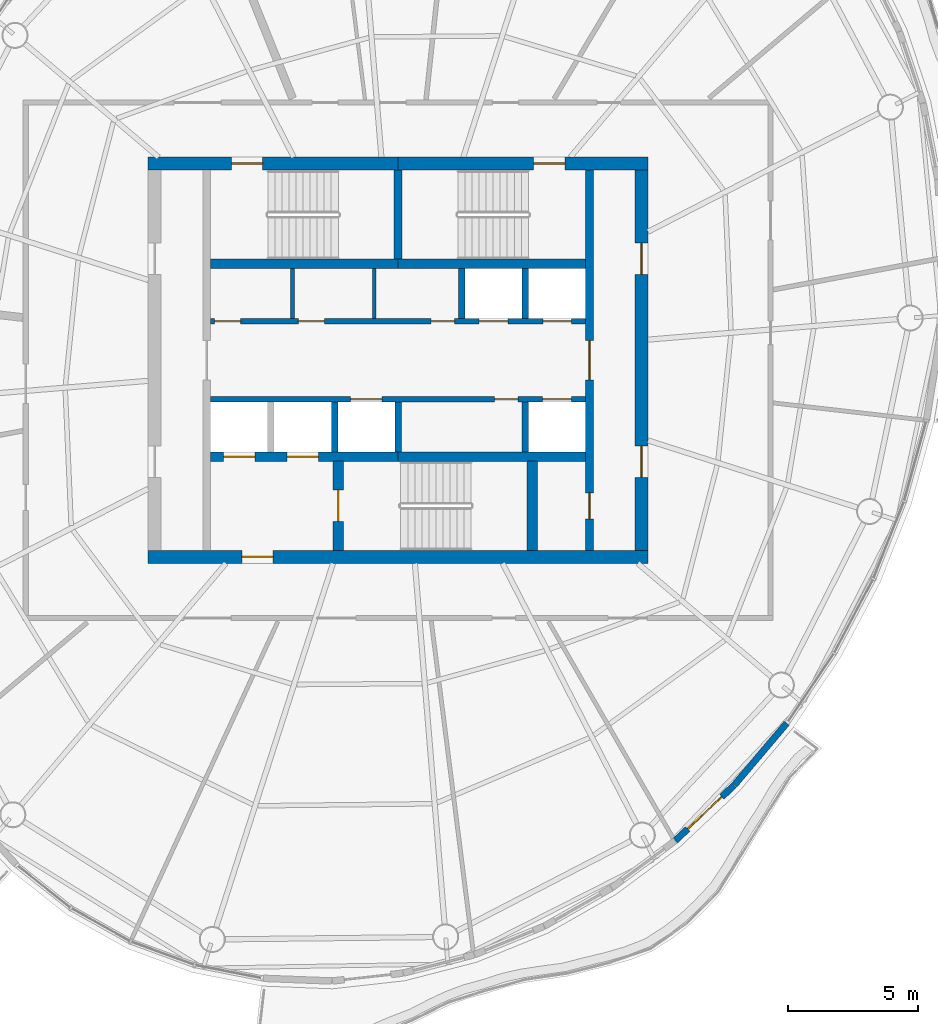
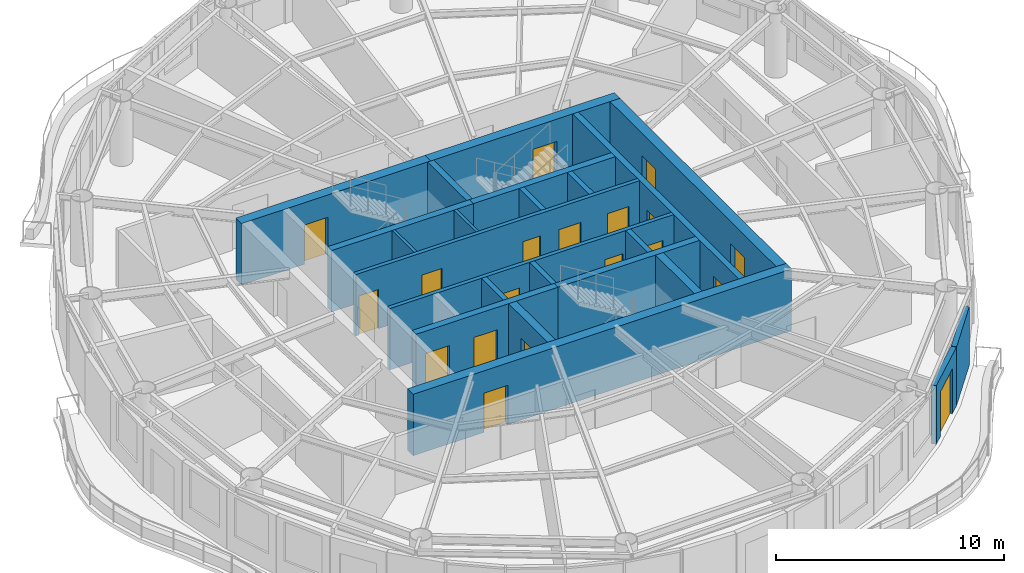
# One storey, part 8 of 13: 23 walls, 19 doors, 19 openings.
"""IFC4 building model written with IfcOpenShell, lengths in metres."""

from ifc_helpers import new_model, si_unit, direction, frame, frame_2d, origin, place, context, subcontext, project, spatial, rectangle, extrude, material, layer, layer_set, type_object, element, fill, save


model = new_model("IFC4")

# Units and contexts
model_context = context("Model", 3, precision=1e-05, world=origin(), true_north=direction((0.0, 1.0)))
body_context = subcontext(model_context, "Body", "Model", "MODEL_VIEW")
ifc_project = project(units=[si_unit("LENGTHUNIT", "METRE"), si_unit("AREAUNIT", "SQUARE_METRE"), si_unit("VOLUMEUNIT", "CUBIC_METRE"), si_unit("PLANEANGLEUNIT", "RADIAN"), si_unit("MASSUNIT", "GRAM", prefix="KILO")], contexts=[model_context])

# Site, building, storey
site_placement = place(None, origin())
site = spatial("IfcSite", under=ifc_project, at=site_placement, CompositionType="ELEMENT")
building_placement = place(site_placement, origin())
building = spatial("IfcBuilding", under=site, at=building_placement, Name="Vermilion Reach Broadcast Tower", CompositionType="ELEMENT")
storey_placement = place(building_placement, frame((0.0, 0.0, 293.699951171875)))
storey = spatial("IfcBuildingStorey", under=building, at=storey_placement, Name="L73", CompositionType="ELEMENT", Elevation=293.699951171875)

# Wall, openings, doors
ifc_material_1 = material(Name="Concrete C50", Category="concrete")
ifc_layer_1 = layer(ifc_material_1, 0.300048828125)
ifc_layer_set_1 = layer_set([ifc_layer_1], Name="Core inner wall 300 mm Concrete C50")
wall_type_1 = type_object("IfcWallType", Name="Core inner wall 300 mm Concrete C50", PredefinedType="SHEAR", material=ifc_layer_set_1)
wall_1_placement = place(storey_placement, frame((1.35009765625, -7.300048828125, 0.0), z_axis=(0.0, 0.0, 1.0), x_axis=(0.0, 1.0, 0.0)))
wall_1 = element("IfcWall", 1, at=wall_1_placement, inside=storey, type_object=wall_type_1, Name="L73 core wall ewE", PredefinedType="SHEAR", context=body_context, shape_type="SweptSolid", body=[
    extrude(rectangle(XDim=14.60009765625, YDim=0.300048828125, at=frame_2d((7.300048828125, 0.0))), origin(), (0.0, 0.0, 1.0), 3.300048828125),
])
opening_1_placement = place(wall_1_placement, frame((1.2099609375, 0.0, 0.0)))
opening_1 = element("IfcOpeningElement", 2, at=opening_1_placement, cuts=wall_1, Name="Opening D05", PredefinedType="OPENING", context=body_context, shape_type="SweptSolid", body=[
    extrude(rectangle(XDim=1.0, YDim=2.10009765625, at=frame_2d((0.5, 1.050048828125))), frame((0.0, 0.159912109375, 0.0), z_axis=(0.0, -1.0, 0.0), x_axis=(1.0, 0.0, 0.0)), (0.0, 0.0, 1.0), 0.320068359375),
])
opening_2_placement = place(wall_1_placement, frame((6.550048828125, 0.0, 0.0)))
opening_2 = element("IfcOpeningElement", 3, at=opening_2_placement, cuts=wall_1, Name="Opening D04", PredefinedType="OPENING", context=body_context, shape_type="SweptSolid", body=[
    extrude(rectangle(XDim=1.5, YDim=2.10009765625, at=frame_2d((0.75, 1.050048828125))), frame((0.0, 0.159912109375, 0.0), z_axis=(0.0, -1.0, 0.0), x_axis=(1.0, 0.0, 0.0)), (0.0, 0.0, 1.0), 0.320068359375),
])
ifc_material_2 = material(Name="Painted steel fire door", Category="steel")
door_type_1 = type_object("IfcDoorType", Name="Lift lobby door 1500 x 2100", OperationType="DOUBLE_DOOR_SINGLE_SWING", PredefinedType="NOTDEFINED", material=ifc_material_2)
door_1_placement = place(opening_2_placement, origin())
door_1 = element("IfcDoor", 4, at=door_1_placement, inside=storey, type_object=door_type_1, Name="L73 band door BE", OperationType="DOUBLE_DOOR_SINGLE_SWING", OverallHeight=2.10009765625, OverallWidth=1.5, PredefinedType="NOTDEFINED", context=body_context, shape_type="SweptSolid", body=[
    extrude(rectangle(XDim=1.5, YDim=2.10009765625, at=frame_2d((0.75, 1.050048828125))), frame((0.0, 0.02490234375, 0.0), z_axis=(0.0, -1.0, 0.0), x_axis=(1.0, 0.0, 0.0)), (0.0, 0.0, 1.0), 0.050048828125),
])
fill(opening_2, door_1)
ifc_material_3 = material(Name="Timber door", Category="wood")
door_type_2 = type_object("IfcDoorType", Name="Room door 1000 x 2100", OperationType="NOTDEFINED", PredefinedType="NOTDEFINED", material=ifc_material_3)
door_2_placement = place(opening_1_placement, origin())
door_2 = element("IfcDoor", 5, at=door_2_placement, inside=storey, type_object=door_type_2, Name="L73 door SER", OperationType="SINGLE_SWING_LEFT", OverallHeight=2.10009765625, OverallWidth=1.0, PredefinedType="NOTDEFINED", context=body_context, shape_type="SweptSolid", body=[
    extrude(rectangle(XDim=1.0, YDim=2.10009765625, at=frame_2d((0.5, 1.050048828125))), frame((0.0, 0.02490234375, 0.0), z_axis=(0.0, -1.0, 0.0), x_axis=(1.0, 0.0, 0.0)), (0.0, 0.0, 1.0), 0.050048828125),
])
fill(opening_1, door_2)

# Walls
wall_2_placement = place(storey_placement, frame((-6.0, 3.8798828125, 0.0), z_axis=(0.0, 0.0, 1.0), x_axis=(0.0, 1.0, 0.0)))
element("IfcWall", 6, at=wall_2_placement, inside=storey, type_object=wall_type_1, Name="L73 core wall wc", PredefinedType="SHEAR", context=body_context, shape_type="SweptSolid", body=[
    extrude(rectangle(XDim=3.420166015625, YDim=0.300048828125, at=frame_2d((1.7099609375, 0.0))), origin(), (0.0, 0.0, 1.0), 3.300048828125),
])
ifc_material_4 = material(Name="Concrete C50", Category="concrete")
ifc_layer_2 = layer(ifc_material_4, 0.35009765625)
ifc_layer_set_2 = layer_set([ifc_layer_2], Name="Core inner wall 350 mm Concrete C50")
wall_type_2 = type_object("IfcWallType", Name="Core inner wall 350 mm Concrete C50", PredefinedType="SHEAR", material=ifc_layer_set_2)
for number, where, z_axis, x_axis, name in (
    (7, (-13.199951171875, 3.705078125, 0.0), (0.0, 0.0, 1.0), (1.0, 0.0, 0.0), "L73 core wall winW"),
    (8, (-6.0, 3.705078125, 0.0), (0.0, 0.0, 1.0), (1.0, 0.0, 0.0), "L73 core wall winE"),
):
    element("IfcWall", number, at=place(storey_placement, frame(where, z_axis=z_axis, x_axis=x_axis)), inside=storey, type_object=wall_type_2, Name=name, PredefinedType="SHEAR", context=body_context, shape_type="SweptSolid", body=[
        extrude(rectangle(XDim=7.199951171875, YDim=0.35009765625, at=frame_2d((3.60009765625, 0.0))), origin(), (0.0, 0.0, 1.0), 3.300048828125),
    ])

# Wall, openings, doors
wall_3_placement = place(storey_placement, frame((-13.199951171875, -3.705078125, 0.0), z_axis=(0.0, 0.0, 1.0), x_axis=(1.0, 0.0, 0.0)))
wall_3 = element("IfcWall", 9, at=wall_3_placement, inside=storey, type_object=wall_type_2, Name="L73 core wall wisW", PredefinedType="SHEAR", context=body_context, shape_type="SweptSolid", body=[
    extrude(rectangle(XDim=7.199951171875, YDim=0.35009765625, at=frame_2d((3.60009765625, 0.0))), origin(), (0.0, 0.0, 1.0), 3.300048828125),
])
opening_3_placement = place(wall_3_placement, frame((0.495849609375, 0.0, 0.0)))
opening_3 = element("IfcOpeningElement", 10, at=opening_3_placement, cuts=wall_3, Name="Opening LD1", PredefinedType="OPENING", context=body_context, shape_type="SweptSolid", body=[
    extrude(rectangle(XDim=1.199951171875, YDim=2.10009765625, at=frame_2d((0.60009765625, 1.050048828125))), frame((0.0, 0.18505859375, 0.0), z_axis=(0.0, -1.0, 0.0), x_axis=(1.0, 0.0, 0.0)), (0.0, 0.0, 1.0), 0.3701171875),
])
opening_4_placement = place(wall_3_placement, frame((2.9375, 0.0, 0.0)))
opening_4 = element("IfcOpeningElement", 11, at=opening_4_placement, cuts=wall_3, Name="Opening LD1", PredefinedType="OPENING", context=body_context, shape_type="SweptSolid", body=[
    extrude(rectangle(XDim=1.199951171875, YDim=2.10009765625, at=frame_2d((0.60009765625, 1.050048828125))), frame((0.0, 0.18505859375, 0.0), z_axis=(0.0, -1.0, 0.0), x_axis=(1.0, 0.0, 0.0)), (0.0, 0.0, 1.0), 0.3701171875),
])
ifc_material_5 = material(Name="Stainless steel", Category="steel")
door_type_3 = type_object("IfcDoorType", Name="Landing door 1200 x 2100", OperationType="DOUBLE_DOOR_SLIDING", PredefinedType="NOTDEFINED", material=ifc_material_5)
door_3_placement = place(opening_3_placement, origin())
door_3 = element("IfcDoor", 12, at=door_3_placement, inside=storey, type_object=door_type_3, Name="L73 landing door FF1", OperationType="DOUBLE_DOOR_SLIDING", OverallHeight=2.10009765625, OverallWidth=1.199951171875, PredefinedType="NOTDEFINED", context=body_context, shape_type="SweptSolid", body=[
    extrude(rectangle(XDim=1.199951171875, YDim=2.10009765625, at=frame_2d((0.60009765625, 1.050048828125))), frame((0.0, 0.02490234375, 0.0), z_axis=(0.0, -1.0, 0.0), x_axis=(1.0, 0.0, 0.0)), (0.0, 0.0, 1.0), 0.050048828125),
])
fill(opening_3, door_3)
door_4_placement = place(opening_4_placement, origin())
door_4 = element("IfcDoor", 13, at=door_4_placement, inside=storey, type_object=door_type_3, Name="L73 landing door FF2", OperationType="DOUBLE_DOOR_SLIDING", OverallHeight=2.10009765625, OverallWidth=1.199951171875, PredefinedType="NOTDEFINED", context=body_context, shape_type="SweptSolid", body=[
    extrude(rectangle(XDim=1.199951171875, YDim=2.10009765625, at=frame_2d((0.60009765625, 1.050048828125))), frame((0.0, 0.02490234375, 0.0), z_axis=(0.0, -1.0, 0.0), x_axis=(1.0, 0.0, 0.0)), (0.0, 0.0, 1.0), 0.050048828125),
])
fill(opening_4, door_4)

# Wall
wall_4_placement = place(storey_placement, frame((-6.0, -3.705078125, 0.0), z_axis=(0.0, 0.0, 1.0), x_axis=(1.0, 0.0, 0.0)))
element("IfcWall", 14, at=wall_4_placement, inside=storey, type_object=wall_type_2, Name="L73 core wall wisE", PredefinedType="SHEAR", context=body_context, shape_type="SweptSolid", body=[
    extrude(rectangle(XDim=7.199951171875, YDim=0.35009765625, at=frame_2d((3.60009765625, 0.0))), origin(), (0.0, 0.0, 1.0), 3.300048828125),
])

# Wall, opening, door
ifc_material_6 = material(Name="Concrete C50", Category="concrete")
ifc_layer_3 = layer(ifc_material_6, 0.39990234375)
ifc_layer_set_3 = layer_set([ifc_layer_3], Name="Core inner wall 400 mm Concrete C50")
wall_type_3 = type_object("IfcWallType", Name="Core inner wall 400 mm Concrete C50", PredefinedType="SHEAR", material=ifc_layer_set_3)
wall_5_placement = place(storey_placement, frame((-8.300048828125, -3.8798828125, 0.0), z_axis=(0.0, 0.0, 1.0), x_axis=(0.0, -1.0, 0.0)))
wall_5 = element("IfcWall", 15, at=wall_5_placement, inside=storey, type_object=wall_type_3, Name="L73 core wall wa", PredefinedType="SHEAR", context=body_context, shape_type="SweptSolid", body=[
    extrude(rectangle(XDim=3.420166015625, YDim=0.39990234375, at=frame_2d((1.7099609375, 0.0))), origin(), (0.0, 0.0, 1.0), 3.300048828125),
])
opening_5_placement = place(wall_5_placement, frame((1.110107421875, 0.0, 0.0)))
opening_5 = element("IfcOpeningElement", 16, at=opening_5_placement, cuts=wall_5, Name="Opening D01", PredefinedType="OPENING", context=body_context, shape_type="SweptSolid", body=[
    extrude(rectangle(XDim=1.199951171875, YDim=2.10009765625, at=frame_2d((0.60009765625, 1.050048828125))), frame((0.0, 0.2099609375, 0.0), z_axis=(0.0, -1.0, 0.0), x_axis=(1.0, 0.0, 0.0)), (0.0, 0.0, 1.0), 0.419921875),
])
ifc_material_7 = material(Name="Painted steel fire door", Category="steel")
door_type_4 = type_object("IfcDoorType", Name="Stair door 1200 x 2100", OperationType="DOUBLE_DOOR_SINGLE_SWING", PredefinedType="NOTDEFINED", material=ifc_material_7)
door_5_placement = place(opening_5_placement, origin())
door_5 = element("IfcDoor", 17, at=door_5_placement, inside=storey, type_object=door_type_4, Name="L73 stair door ST3", OperationType="DOUBLE_DOOR_SINGLE_SWING", OverallHeight=2.10009765625, OverallWidth=1.199951171875, PredefinedType="NOTDEFINED", context=body_context, shape_type="SweptSolid", body=[
    extrude(rectangle(XDim=1.199951171875, YDim=2.10009765625, at=frame_2d((0.60009765625, 1.050048828125))), frame((0.0, 0.02490234375, 0.0), z_axis=(0.0, -1.0, 0.0), x_axis=(1.0, 0.0, 0.0)), (0.0, 0.0, 1.0), 0.050048828125),
])
fill(opening_5, door_5)

# Wall
wall_6_placement = place(storey_placement, frame((-0.85009765625, -3.8798828125, 0.0), z_axis=(0.0, 0.0, 1.0), x_axis=(0.0, -1.0, 0.0)))
element("IfcWall", 18, at=wall_6_placement, inside=storey, type_object=wall_type_3, Name="L73 core wall wb", PredefinedType="SHEAR", context=body_context, shape_type="SweptSolid", body=[
    extrude(rectangle(XDim=3.420166015625, YDim=0.39990234375, at=frame_2d((1.7099609375, 0.0))), origin(), (0.0, 0.0, 1.0), 3.300048828125),
])

# Wall, opening, door
ifc_material_8 = material(Name="Concrete C50", Category="concrete")
ifc_layer_4 = layer(ifc_material_8, 0.5)
ifc_layer_set_4 = layer_set([ifc_layer_4], Name="Core outer wall 500 mm Concrete C50")
wall_type_4 = type_object("IfcWallType", Name="Core outer wall 500 mm Concrete C50", PredefinedType="SHEAR", material=ifc_layer_set_4)
wall_7_placement = place(storey_placement, frame((3.60009765625, 7.550048828125, 0.0), z_axis=(0.0, 0.0, 1.0), x_axis=(-1.0, 0.0, 0.0)))
wall_7 = element("IfcWall", 19, at=wall_7_placement, inside=storey, type_object=wall_type_4, Name="L73 core wall onE", PredefinedType="SHEAR", context=body_context, shape_type="SweptSolid", body=[
    extrude(rectangle(XDim=9.60009765625, YDim=0.5, at=frame_2d((4.800048828125, 0.0))), origin(), (0.0, 0.0, 1.0), 3.300048828125),
])
opening_6_placement = place(wall_7_placement, frame((3.199951171875, 0.0, 0.0)))
opening_6 = element("IfcOpeningElement", 20, at=opening_6_placement, cuts=wall_7, Name="Opening D01", PredefinedType="OPENING", context=body_context, shape_type="SweptSolid", body=[
    extrude(rectangle(XDim=1.199951171875, YDim=2.10009765625, at=frame_2d((0.60009765625, 1.050048828125))), frame((0.0, 0.260009765625, 0.0), z_axis=(0.0, -1.0, 0.0), x_axis=(1.0, 0.0, 0.0)), (0.0, 0.0, 1.0), 0.52001953125),
])
door_6_placement = place(opening_6_placement, origin())
door_6 = element("IfcDoor", 21, at=door_6_placement, inside=storey, type_object=door_type_4, Name="L73 stair door ST2", OperationType="DOUBLE_DOOR_SINGLE_SWING", OverallHeight=2.10009765625, OverallWidth=1.199951171875, PredefinedType="NOTDEFINED", context=body_context, shape_type="SweptSolid", body=[
    extrude(rectangle(XDim=1.199951171875, YDim=2.10009765625, at=frame_2d((0.60009765625, 1.050048828125))), frame((0.0, 0.02490234375, 0.0), z_axis=(0.0, -1.0, 0.0), x_axis=(1.0, 0.0, 0.0)), (0.0, 0.0, 1.0), 0.050048828125),
])
fill(opening_6, door_6)

wall_8_placement = place(storey_placement, frame((-6.0, 7.550048828125, 0.0), z_axis=(0.0, 0.0, 1.0), x_axis=(-1.0, 0.0, 0.0)))
wall_8 = element("IfcWall", 22, at=wall_8_placement, inside=storey, type_object=wall_type_4, Name="L73 core wall onW", PredefinedType="SHEAR", context=body_context, shape_type="SweptSolid", body=[
    extrude(rectangle(XDim=9.60009765625, YDim=0.5, at=frame_2d((4.800048828125, 0.0))), origin(), (0.0, 0.0, 1.0), 3.300048828125),
])
opening_7_placement = place(wall_8_placement, frame((5.199951171875, 0.0, 0.0)))
opening_7 = element("IfcOpeningElement", 23, at=opening_7_placement, cuts=wall_8, Name="Opening D01", PredefinedType="OPENING", context=body_context, shape_type="SweptSolid", body=[
    extrude(rectangle(XDim=1.199951171875, YDim=2.10009765625, at=frame_2d((0.60009765625, 1.050048828125))), frame((0.0, 0.260009765625, 0.0), z_axis=(0.0, -1.0, 0.0), x_axis=(1.0, 0.0, 0.0)), (0.0, 0.0, 1.0), 0.52001953125),
])
door_7_placement = place(opening_7_placement, origin())
door_7 = element("IfcDoor", 24, at=door_7_placement, inside=storey, type_object=door_type_4, Name="L73 stair door ST1", OperationType="DOUBLE_DOOR_SINGLE_SWING", OverallHeight=2.10009765625, OverallWidth=1.199951171875, PredefinedType="NOTDEFINED", context=body_context, shape_type="SweptSolid", body=[
    extrude(rectangle(XDim=1.199951171875, YDim=2.10009765625, at=frame_2d((0.60009765625, 1.050048828125))), frame((0.0, 0.02490234375, 0.0), z_axis=(0.0, -1.0, 0.0), x_axis=(1.0, 0.0, 0.0)), (0.0, 0.0, 1.0), 0.050048828125),
])
fill(opening_7, door_7)

wall_9_placement = place(storey_placement, frame((-15.60009765625, -7.550048828125, 0.0), z_axis=(0.0, 0.0, 1.0), x_axis=(1.0, 0.0, 0.0)))
wall_9 = element("IfcWall", 25, at=wall_9_placement, inside=storey, type_object=wall_type_4, Name="L73 core wall os", PredefinedType="SHEAR", context=body_context, shape_type="SweptSolid", body=[
    extrude(rectangle(XDim=19.2001953125, YDim=0.5, at=frame_2d((9.60009765625, 0.0))), origin(), (0.0, 0.0, 1.0), 3.300048828125),
])
opening_8_placement = place(wall_9_placement, frame((3.60009765625, 0.0, 0.0)))
opening_8 = element("IfcOpeningElement", 26, at=opening_8_placement, cuts=wall_9, Name="Opening D02", PredefinedType="OPENING", context=body_context, shape_type="SweptSolid", body=[
    extrude(rectangle(XDim=1.199951171875, YDim=2.10009765625, at=frame_2d((0.60009765625, 1.050048828125))), frame((0.0, 0.260009765625, 0.0), z_axis=(0.0, -1.0, 0.0), x_axis=(1.0, 0.0, 0.0)), (0.0, 0.0, 1.0), 0.52001953125),
])
ifc_material_9 = material(Name="Painted steel fire door", Category="steel")
door_type_5 = type_object("IfcDoorType", Name="Firefighting lobby door 1200 x 2100", OperationType="DOUBLE_DOOR_SINGLE_SWING", PredefinedType="NOTDEFINED", material=ifc_material_9)
door_8_placement = place(opening_8_placement, origin())
door_8 = element("IfcDoor", 27, at=door_8_placement, inside=storey, type_object=door_type_5, Name="L73 ffdoor door FFL", OperationType="DOUBLE_DOOR_SINGLE_SWING", OverallHeight=2.10009765625, OverallWidth=1.199951171875, PredefinedType="NOTDEFINED", context=body_context, shape_type="SweptSolid", body=[
    extrude(rectangle(XDim=1.199951171875, YDim=2.10009765625, at=frame_2d((0.60009765625, 1.050048828125))), frame((0.0, 0.02490234375, 0.0), z_axis=(0.0, -1.0, 0.0), x_axis=(1.0, 0.0, 0.0)), (0.0, 0.0, 1.0), 0.050048828125),
])
fill(opening_8, door_8)

# Wall, openings, doors
wall_10_placement = place(storey_placement, frame((3.35009765625, -7.300048828125, 0.0), z_axis=(0.0, 0.0, 1.0), x_axis=(0.0, 1.0, 0.0)))
wall_10 = element("IfcWall", 28, at=wall_10_placement, inside=storey, type_object=wall_type_4, Name="L73 core wall oe", PredefinedType="SHEAR", context=body_context, shape_type="SweptSolid", body=[
    extrude(rectangle(XDim=14.60009765625, YDim=0.5, at=frame_2d((7.300048828125, 0.0))), origin(), (0.0, 0.0, 1.0), 3.300048828125),
])
opening_9_placement = place(wall_10_placement, frame((2.800048828125, 0.0, 0.0)))
opening_9 = element("IfcOpeningElement", 29, at=opening_9_placement, cuts=wall_10, Name="Opening D03", PredefinedType="OPENING", context=body_context, shape_type="SweptSolid", body=[
    extrude(rectangle(XDim=1.199951171875, YDim=2.10009765625, at=frame_2d((0.60009765625, 1.050048828125))), frame((0.0, 0.260009765625, 0.0), z_axis=(0.0, -1.0, 0.0), x_axis=(1.0, 0.0, 0.0)), (0.0, 0.0, 1.0), 0.52001953125),
])
opening_10_placement = place(wall_10_placement, frame((10.60009765625, 0.0, 0.0)))
opening_10 = element("IfcOpeningElement", 30, at=opening_10_placement, cuts=wall_10, Name="Opening D03", PredefinedType="OPENING", context=body_context, shape_type="SweptSolid", body=[
    extrude(rectangle(XDim=1.199951171875, YDim=2.10009765625, at=frame_2d((0.60009765625, 1.050048828125))), frame((0.0, 0.260009765625, 0.0), z_axis=(0.0, -1.0, 0.0), x_axis=(1.0, 0.0, 0.0)), (0.0, 0.0, 1.0), 0.52001953125),
])
ifc_material_10 = material(Name="Painted steel fire door", Category="steel")
door_type_6 = type_object("IfcDoorType", Name="Core lobby door 1200 x 2100", OperationType="DOUBLE_DOOR_SINGLE_SWING", PredefinedType="NOTDEFINED", material=ifc_material_10)
door_9_placement = place(opening_9_placement, origin())
door_9 = element("IfcDoor", 31, at=door_9_placement, inside=storey, type_object=door_type_6, Name="L73 slot door E0", OperationType="DOUBLE_DOOR_SINGLE_SWING", OverallHeight=2.10009765625, OverallWidth=1.199951171875, PredefinedType="NOTDEFINED", context=body_context, shape_type="SweptSolid", body=[
    extrude(rectangle(XDim=1.199951171875, YDim=2.10009765625, at=frame_2d((0.60009765625, 1.050048828125))), frame((0.0, 0.02490234375, 0.0), z_axis=(0.0, -1.0, 0.0), x_axis=(1.0, 0.0, 0.0)), (0.0, 0.0, 1.0), 0.050048828125),
])
fill(opening_9, door_9)
door_10_placement = place(opening_10_placement, origin())
door_10 = element("IfcDoor", 32, at=door_10_placement, inside=storey, type_object=door_type_6, Name="L73 slot door E1", OperationType="DOUBLE_DOOR_SINGLE_SWING", OverallHeight=2.10009765625, OverallWidth=1.199951171875, PredefinedType="NOTDEFINED", context=body_context, shape_type="SweptSolid", body=[
    extrude(rectangle(XDim=1.199951171875, YDim=2.10009765625, at=frame_2d((0.60009765625, 1.050048828125))), frame((0.0, 0.02490234375, 0.0), z_axis=(0.0, -1.0, 0.0), x_axis=(1.0, 0.0, 0.0)), (0.0, 0.0, 1.0), 0.050048828125),
])
fill(opening_10, door_10)

# Walls
ifc_material_11 = material(Name="Masonry block", Category="masonry")
ifc_layer_5 = layer(ifc_material_11, 0.14990234375)
ifc_layer_set_5 = layer_set([ifc_layer_5], Name="Core partition wall 150 mm Masonry block")
wall_type_5 = type_object("IfcWallType", Name="Core partition wall 150 mm Masonry block", PredefinedType="PARTITIONING", material=ifc_layer_set_5)
for number, where, z_axis, x_axis, name in (
    (33, (-10.0595703125, 1.60009765625, 0.0), (0.0, 0.0, 1.0), (0.0, 1.0, 0.0), "L73 core wall prN-4060"),
    (34, (-6.9189453125, 1.60009765625, 0.0), (0.0, 0.0, 1.0), (0.0, 1.0, 0.0), "L73 core wall prN-919"),
):
    element("IfcWall", number, at=place(storey_placement, frame(where, z_axis=z_axis, x_axis=x_axis)), inside=storey, type_object=wall_type_5, Name=name, PredefinedType="PARTITIONING", context=body_context, shape_type="SweptSolid", body=[
        extrude(rectangle(XDim=1.929931640625, YDim=0.14990234375, at=frame_2d((0.96484375, 0.0))), origin(), (0.0, 0.0, 1.0), 3.300048828125),
    ])

# Wall, openings, doors
ifc_material_12 = material(Name="Concrete C50", Category="concrete")
ifc_layer_6 = layer(ifc_material_12, 0.199951171875)
ifc_layer_set_6 = layer_set([ifc_layer_6], Name="Core shaft wall 200 mm Concrete C50")
wall_type_6 = type_object("IfcWallType", Name="Core shaft wall 200 mm Concrete C50", PredefinedType="SHEAR", material=ifc_layer_set_6)
wall_11_placement = place(storey_placement, frame((-13.199951171875, 1.5, 0.0), z_axis=(0.0, 0.0, 1.0), x_axis=(1.0, 0.0, 0.0)))
wall_11 = element("IfcWall", 35, at=wall_11_placement, inside=storey, type_object=wall_type_6, Name="L73 core wall fn", PredefinedType="SHEAR", context=body_context, shape_type="SweptSolid", body=[
    extrude(rectangle(XDim=14.39990234375, YDim=0.199951171875, at=frame_2d((7.199951171875, 0.0))), origin(), (0.0, 0.0, 1.0), 3.300048828125),
])
opening_11_placement = place(wall_11_placement, frame((10.3125, 0.0, 0.0)))
opening_11 = element("IfcOpeningElement", 36, at=opening_11_placement, cuts=wall_11, Name="Opening LD2", PredefinedType="OPENING", context=body_context, shape_type="SweptSolid", body=[
    extrude(rectangle(XDim=1.10009765625, YDim=2.10009765625, at=frame_2d((0.550048828125, 1.050048828125))), frame((0.0, 0.10986328125, 0.0), z_axis=(0.0, -1.0, 0.0), x_axis=(1.0, 0.0, 0.0)), (0.0, 0.0, 1.0), 0.219970703125),
])
opening_12_placement = place(wall_11_placement, frame((12.754150390625, 0.0, 0.0)))
opening_12 = element("IfcOpeningElement", 37, at=opening_12_placement, cuts=wall_11, Name="Opening LD2", PredefinedType="OPENING", context=body_context, shape_type="SweptSolid", body=[
    extrude(rectangle(XDim=1.10009765625, YDim=2.10009765625, at=frame_2d((0.550048828125, 1.050048828125))), frame((0.0, 0.10986328125, 0.0), z_axis=(0.0, -1.0, 0.0), x_axis=(1.0, 0.0, 0.0)), (0.0, 0.0, 1.0), 0.219970703125),
])
opening_13_placement = place(wall_11_placement, frame((0.14990234375, 0.0, 0.0)))
opening_13 = element("IfcOpeningElement", 38, at=opening_13_placement, cuts=wall_11, Name="Opening D07", PredefinedType="OPENING", context=body_context, shape_type="SweptSolid", body=[
    extrude(rectangle(XDim=1.0, YDim=2.10009765625, at=frame_2d((0.5, 1.050048828125))), frame((0.0, 0.10986328125, 0.0), z_axis=(0.0, -1.0, 0.0), x_axis=(1.0, 0.0, 0.0)), (0.0, 0.0, 1.0), 0.219970703125),
])
opening_14_placement = place(wall_11_placement, frame((3.365478515625, 0.0, 0.0)))
opening_14 = element("IfcOpeningElement", 39, at=opening_14_placement, cuts=wall_11, Name="Opening D10", PredefinedType="OPENING", context=body_context, shape_type="SweptSolid", body=[
    extrude(rectangle(XDim=1.0, YDim=2.10009765625, at=frame_2d((0.5, 1.050048828125))), frame((0.0, 0.10986328125, 0.0), z_axis=(0.0, -1.0, 0.0), x_axis=(1.0, 0.0, 0.0)), (0.0, 0.0, 1.0), 0.219970703125),
])
opening_15_placement = place(wall_11_placement, frame((8.466552734375, 0.0, 0.0)))
opening_15 = element("IfcOpeningElement", 40, at=opening_15_placement, cuts=wall_11, Name="Opening D06", PredefinedType="OPENING", context=body_context, shape_type="SweptSolid", body=[
    extrude(rectangle(XDim=0.89990234375, YDim=2.10009765625, at=frame_2d((0.449951171875, 1.050048828125))), frame((0.0, 0.10986328125, 0.0), z_axis=(0.0, -1.0, 0.0), x_axis=(1.0, 0.0, 0.0)), (0.0, 0.0, 1.0), 0.219970703125),
])
ifc_material_13 = material(Name="Timber door", Category="wood")
door_type_7 = type_object("IfcDoorType", Name="Accessible WC door 1000 x 2100", OperationType="NOTDEFINED", PredefinedType="NOTDEFINED", material=ifc_material_13)
door_11_placement = place(opening_13_placement, origin())
door_11 = element("IfcDoor", 41, at=door_11_placement, inside=storey, type_object=door_type_7, Name="L73 door Accessible WC", OperationType="SINGLE_SWING_LEFT", OverallHeight=2.10009765625, OverallWidth=1.0, PredefinedType="NOTDEFINED", context=body_context, shape_type="SweptSolid", body=[
    extrude(rectangle(XDim=1.0, YDim=2.10009765625, at=frame_2d((0.5, 1.050048828125))), frame((0.0, 0.02490234375, 0.0), z_axis=(0.0, -1.0, 0.0), x_axis=(1.0, 0.0, 0.0)), (0.0, 0.0, 1.0), 0.050048828125),
])
fill(opening_13, door_11)
ifc_material_14 = material(Name="Stainless steel", Category="steel")
door_type_8 = type_object("IfcDoorType", Name="Landing door 1100 x 2100", OperationType="DOUBLE_DOOR_SLIDING", PredefinedType="NOTDEFINED", material=ifc_material_14)
door_12_placement = place(opening_11_placement, origin())
door_12 = element("IfcDoor", 42, at=door_12_placement, inside=storey, type_object=door_type_8, Name="L73 landing door HR1", OperationType="DOUBLE_DOOR_SLIDING", OverallHeight=2.10009765625, OverallWidth=1.10009765625, PredefinedType="NOTDEFINED", context=body_context, shape_type="SweptSolid", body=[
    extrude(rectangle(XDim=1.10009765625, YDim=2.10009765625, at=frame_2d((0.550048828125, 1.050048828125))), frame((0.0, 0.02490234375, 0.0), z_axis=(0.0, -1.0, 0.0), x_axis=(1.0, 0.0, 0.0)), (0.0, 0.0, 1.0), 0.050048828125),
])
fill(opening_11, door_12)
door_13_placement = place(opening_12_placement, origin())
door_13 = element("IfcDoor", 43, at=door_13_placement, inside=storey, type_object=door_type_8, Name="L73 landing door HR2", OperationType="DOUBLE_DOOR_SLIDING", OverallHeight=2.10009765625, OverallWidth=1.10009765625, PredefinedType="NOTDEFINED", context=body_context, shape_type="SweptSolid", body=[
    extrude(rectangle(XDim=1.10009765625, YDim=2.10009765625, at=frame_2d((0.550048828125, 1.050048828125))), frame((0.0, 0.02490234375, 0.0), z_axis=(0.0, -1.0, 0.0), x_axis=(1.0, 0.0, 0.0)), (0.0, 0.0, 1.0), 0.050048828125),
])
fill(opening_12, door_13)
ifc_material_15 = material(Name="Timber door", Category="wood")
door_type_9 = type_object("IfcDoorType", Name="WC door 900 x 2100", OperationType="NOTDEFINED", PredefinedType="NOTDEFINED", material=ifc_material_15)
door_14_placement = place(opening_15_placement, origin())
door_14 = element("IfcDoor", 44, at=door_14_placement, inside=storey, type_object=door_type_9, Name="L73 door Male WC", OperationType="SINGLE_SWING_RIGHT", OverallHeight=2.10009765625, OverallWidth=0.89990234375, PredefinedType="NOTDEFINED", context=body_context, shape_type="SweptSolid", body=[
    extrude(rectangle(XDim=0.89990234375, YDim=2.10009765625, at=frame_2d((0.449951171875, 1.050048828125))), frame((0.0, 0.02490234375, 0.0), z_axis=(0.0, -1.0, 0.0), x_axis=(1.0, 0.0, 0.0)), (0.0, 0.0, 1.0), 0.050048828125),
])
fill(opening_15, door_14)
ifc_material_16 = material(Name="Timber door", Category="wood")
door_type_10 = type_object("IfcDoorType", Name="WC lobby door 1000 x 2100", OperationType="NOTDEFINED", PredefinedType="NOTDEFINED", material=ifc_material_16)
door_15_placement = place(opening_14_placement, origin())
door_15 = element("IfcDoor", 45, at=door_15_placement, inside=storey, type_object=door_type_10, Name="L73 door WC lobby", OperationType="SINGLE_SWING_LEFT", OverallHeight=2.10009765625, OverallWidth=1.0, PredefinedType="NOTDEFINED", context=body_context, shape_type="SweptSolid", body=[
    extrude(rectangle(XDim=1.0, YDim=2.10009765625, at=frame_2d((0.5, 1.050048828125))), frame((0.0, 0.02490234375, 0.0), z_axis=(0.0, -1.0, 0.0), x_axis=(1.0, 0.0, 0.0)), (0.0, 0.0, 1.0), 0.050048828125),
])
fill(opening_14, door_15)

wall_12_placement = place(storey_placement, frame((1.199951171875, -1.5, 0.0), z_axis=(0.0, 0.0, 1.0), x_axis=(-1.0, 0.0, 0.0)))
wall_12 = element("IfcWall", 46, at=wall_12_placement, inside=storey, type_object=wall_type_6, Name="L73 core wall fs", PredefinedType="SHEAR", context=body_context, shape_type="SweptSolid", body=[
    extrude(rectangle(XDim=14.39990234375, YDim=0.199951171875, at=frame_2d((7.199951171875, 0.0))), origin(), (0.0, 0.0, 1.0), 3.300048828125),
])
opening_16_placement = place(wall_12_placement, frame((7.82080078125, 0.0, 0.0)))
opening_16 = element("IfcOpeningElement", 47, at=opening_16_placement, cuts=wall_12, Name="Opening LD1", PredefinedType="OPENING", context=body_context, shape_type="SweptSolid", body=[
    extrude(rectangle(XDim=1.199951171875, YDim=2.10009765625, at=frame_2d((0.60009765625, 1.050048828125))), frame((0.0, 0.10986328125, 0.0), z_axis=(0.0, -1.0, 0.0), x_axis=(1.0, 0.0, 0.0)), (0.0, 0.0, 1.0), 0.219970703125),
])
opening_17_placement = place(wall_12_placement, frame((0.5458984375, 0.0, 0.0)))
opening_17 = element("IfcOpeningElement", 48, at=opening_17_placement, cuts=wall_12, Name="Opening LD2", PredefinedType="OPENING", context=body_context, shape_type="SweptSolid", body=[
    extrude(rectangle(XDim=1.10009765625, YDim=2.10009765625, at=frame_2d((0.550048828125, 1.050048828125))), frame((0.0, 0.10986328125, 0.0), z_axis=(0.0, -1.0, 0.0), x_axis=(1.0, 0.0, 0.0)), (0.0, 0.0, 1.0), 0.219970703125),
])
opening_18_placement = place(wall_12_placement, frame((2.591552734375, 0.0, 0.0)))
opening_18 = element("IfcOpeningElement", 49, at=opening_18_placement, cuts=wall_12, Name="Opening D06", PredefinedType="OPENING", context=body_context, shape_type="SweptSolid", body=[
    extrude(rectangle(XDim=0.89990234375, YDim=2.10009765625, at=frame_2d((0.449951171875, 1.050048828125))), frame((0.0, 0.10986328125, 0.0), z_axis=(0.0, -1.0, 0.0), x_axis=(1.0, 0.0, 0.0)), (0.0, 0.0, 1.0), 0.219970703125),
])
door_16_placement = place(opening_17_placement, origin())
door_16 = element("IfcDoor", 50, at=door_16_placement, inside=storey, type_object=door_type_8, Name="L73 landing door HR3", OperationType="DOUBLE_DOOR_SLIDING", OverallHeight=2.10009765625, OverallWidth=1.10009765625, PredefinedType="NOTDEFINED", context=body_context, shape_type="SweptSolid", body=[
    extrude(rectangle(XDim=1.10009765625, YDim=2.10009765625, at=frame_2d((0.550048828125, 1.050048828125))), frame((0.0, 0.02490234375, 0.0), z_axis=(0.0, -1.0, 0.0), x_axis=(1.0, 0.0, 0.0)), (0.0, 0.0, 1.0), 0.050048828125),
])
fill(opening_17, door_16)
door_17_placement = place(opening_16_placement, origin())
door_17 = element("IfcDoor", 51, at=door_17_placement, inside=storey, type_object=door_type_3, Name="L73 landing door SV1", OperationType="DOUBLE_DOOR_SLIDING", OverallHeight=2.10009765625, OverallWidth=1.199951171875, PredefinedType="NOTDEFINED", context=body_context, shape_type="SweptSolid", body=[
    extrude(rectangle(XDim=1.199951171875, YDim=2.10009765625, at=frame_2d((0.60009765625, 1.050048828125))), frame((0.0, 0.02490234375, 0.0), z_axis=(0.0, -1.0, 0.0), x_axis=(1.0, 0.0, 0.0)), (0.0, 0.0, 1.0), 0.050048828125),
])
fill(opening_16, door_17)
door_18_placement = place(opening_18_placement, origin())
door_18 = element("IfcDoor", 52, at=door_18_placement, inside=storey, type_object=door_type_9, Name="L73 door Female WC", OperationType="SINGLE_SWING_LEFT", OverallHeight=2.10009765625, OverallWidth=0.89990234375, PredefinedType="NOTDEFINED", context=body_context, shape_type="SweptSolid", body=[
    extrude(rectangle(XDim=0.89990234375, YDim=2.10009765625, at=frame_2d((0.449951171875, 1.050048828125))), frame((0.0, 0.02490234375, 0.0), z_axis=(0.0, -1.0, 0.0), x_axis=(1.0, 0.0, 0.0)), (0.0, 0.0, 1.0), 0.050048828125),
])
fill(opening_18, door_18)

# Walls
ifc_material_17 = material(Name="Concrete C50", Category="concrete")
ifc_layer_7 = layer(ifc_material_17, 0.25)
ifc_layer_set_7 = layer_set([ifc_layer_7], Name="Core shaft wall 250 mm Concrete C50")
wall_type_7 = type_object("IfcWallType", Name="Core shaft wall 250 mm Concrete C50", PredefinedType="SHEAR", material=ifc_layer_set_7)
for number, where, z_axis, x_axis, name in (
    (53, (-3.558349609375, 1.60009765625, 0.0), (0.0, 0.0, 1.0), (0.0, 1.0, 0.0), "L73 core wall psN3"),
    (54, (-1.11669921875, 1.60009765625, 0.0), (0.0, 0.0, 1.0), (0.0, 1.0, 0.0), "L73 core wall psN4"),
    (55, (-8.441650390625, -1.60009765625, 0.0), (0.0, 0.0, 1.0), (0.0, -1.0, 0.0), "L73 core wall psS1"),
    (56, (-6.0, -1.60009765625, 0.0), (0.0, 0.0, 1.0), (0.0, -1.0, 0.0), "L73 core wall psS2"),
    (57, (-1.11669921875, -1.60009765625, 0.0), (0.0, 0.0, 1.0), (0.0, -1.0, 0.0), "L73 core wall psS4"),
):
    element("IfcWall", number, at=place(storey_placement, frame(where, z_axis=z_axis, x_axis=x_axis)), inside=storey, type_object=wall_type_7, Name=name, PredefinedType="SHEAR", context=body_context, shape_type="SweptSolid", body=[
        extrude(rectangle(XDim=1.929931640625, YDim=0.25, at=frame_2d((0.96484375, 0.0))), origin(), (0.0, 0.0, 1.0), 3.300048828125),
    ])

# Wall, opening, door
ifc_material_18 = material(Name="Terracotta rainscreen cladding", Category="masonry")
ifc_layer_8 = layer(ifc_material_18, 0.25)
ifc_layer_set_8 = layer_set([ifc_layer_8], Name="Terracotta rainscreen wall 250")
wall_type_8 = type_object("IfcWallType", Name="Terracotta rainscreen wall 250", PredefinedType="SOLIDWALL", material=ifc_layer_set_8)
wall_13_placement = place(storey_placement, frame((4.6513671875, -18.4453125, 0.0), z_axis=(0.0, 0.0, 1.0), x_axis=(0.728070141896, 0.685502639295, 0.0)))
wall_13 = element("IfcWall", 58, at=wall_13_placement, inside=storey, type_object=wall_type_8, Name="External wall L73 32", PredefinedType="SOLIDWALL", context=body_context, shape_type="SweptSolid", body=[
    extrude(rectangle(XDim=3.09130859375, YDim=0.25, at=frame_2d((1.545654296875, 0.0))), origin(), (0.0, 0.0, 1.0), 3.150146484375),
])
opening_19_placement = place(wall_13_placement, frame((0.64599609375, 0.0, 0.0)))
opening_19 = element("IfcOpeningElement", 59, at=opening_19_placement, cuts=wall_13, Name="Opening D70", PredefinedType="OPENING", context=body_context, shape_type="SweptSolid", body=[
    extrude(rectangle(XDim=1.800048828125, YDim=2.39990234375, at=frame_2d((0.89990234375, 1.199951171875))), frame((0.0, 0.135009765625, 0.0), z_axis=(0.0, -1.0, 0.0), x_axis=(1.0, 0.0, 0.0)), (0.0, 0.0, 1.0), 0.27001953125),
])
ifc_material_19 = material(Name="Low-e laminated clear glass in aluminium frame", Category="aluminium")
door_type_11 = type_object("IfcDoorType", Name="Balcony sliding door 1800 x 2400", OperationType="DOUBLE_DOOR_SLIDING", PredefinedType="DOOR", material=ifc_material_19)
door_19_placement = place(opening_19_placement, origin())
door_19 = element("IfcDoor", 60, at=door_19_placement, inside=storey, type_object=door_type_11, Name="Balcony door L73 run 08", OperationType="DOUBLE_DOOR_SLIDING", OverallHeight=2.39990234375, OverallWidth=1.800048828125, PredefinedType="DOOR", context=body_context, shape_type="SweptSolid", body=[
    extrude(rectangle(XDim=1.800048828125, YDim=2.39990234375, at=frame_2d((0.89990234375, 1.199951171875))), frame((0.0, 0.02490234375, 0.0), z_axis=(0.0, -1.0, 0.0), x_axis=(1.0, 0.0, 0.0)), (0.0, 0.0, 1.0), 0.050048828125),
])
fill(opening_19, door_19)

# Wall
wall_14_placement = place(storey_placement, frame((6.917236328125, -16.31005859375, 0.0), z_axis=(0.0, 0.0, 1.0), x_axis=(0.646362376252, 0.763030588224, 0.0)))
element("IfcWall", 61, at=wall_14_placement, inside=storey, type_object=wall_type_8, Name="External wall L73 33", PredefinedType="SOLIDWALL", context=body_context, shape_type="SweptSolid", body=[
    extrude(rectangle(XDim=3.09912109375, YDim=0.25, at=frame_2d((1.549560546875, 0.0))), origin(), (0.0, 0.0, 1.0), 3.150146484375),
])

save(model, "model.ifc")
